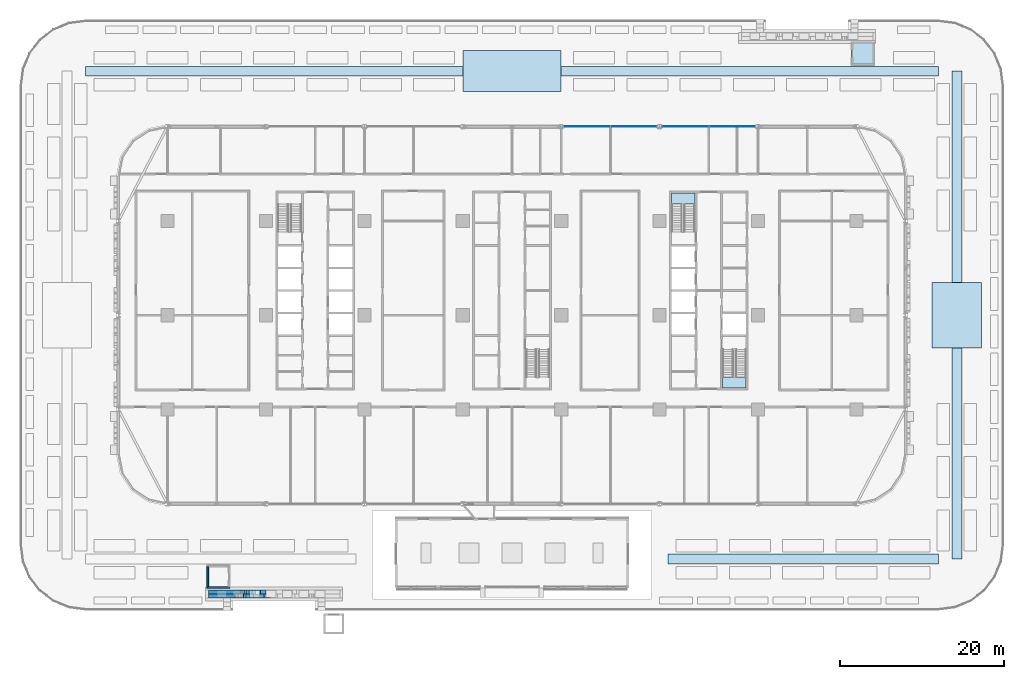
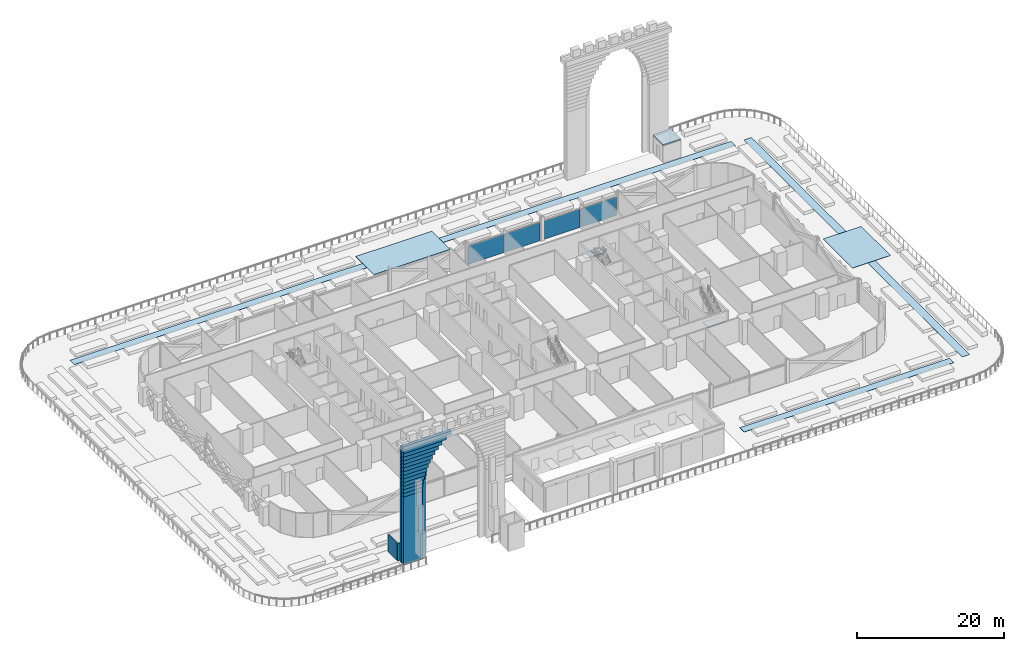
# One storey, part 10 of 39: 29 walls, 11 plates, 3 slabs, 4 elements without a shape of their own.
"""IFC4 building model written with IfcOpenShell, lengths in metres."""

from ifc_helpers import new_model, si_unit, direction, frame, frame_2d, origin, origin_2d, place, context, subcontext, project, spatial, polyline, rectangle, outline, extrude, material, layer, layer_set, type_object, element, aggregate, save


model = new_model("IFC4")

# Units and contexts
model_context = context("Model", 3, precision=1e-05, world=origin(), true_north=direction((0.0, 1.0)))
body_context = subcontext(model_context, "Body", "Model", "MODEL_VIEW")
ifc_project = project(units=[si_unit("LENGTHUNIT", "METRE"), si_unit("AREAUNIT", "SQUARE_METRE"), si_unit("VOLUMEUNIT", "CUBIC_METRE"), si_unit("PLANEANGLEUNIT", "RADIAN"), si_unit("MASSUNIT", "GRAM", prefix="KILO")], contexts=[model_context])

# Site, building, storey
site_placement = place(None, origin())
site = spatial("IfcSite", under=ifc_project, at=site_placement, CompositionType="ELEMENT")
building_placement = place(site_placement, origin())
building = spatial("IfcBuilding", under=site, at=building_placement, Name="Mahtab Terrace Research Tower", CompositionType="ELEMENT")
storey_placement = place(building_placement, frame((0.0, 0.0, 7.199951171875)))
storey = spatial("IfcBuildingStorey", under=building, at=storey_placement, Name="L01", CompositionType="ELEMENT", Elevation=7.199951171875)

# Slab
ifc_material_1 = material(Name="Concrete C40/50", Category="concrete")
ifc_layer_1 = layer(ifc_material_1, 0.199951171875)
ifc_layer_set_1 = layer_set([ifc_layer_1], Name="Deck kiosk roof slab 200")
slab_type_1 = type_object("IfcSlabType", Name="Deck kiosk roof slab 200", PredefinedType="ROOF", material=ifc_layer_set_1)
slab_1_placement = place(storey_placement, frame((0.0, 0.0, 2.900146484375)))
element("IfcSlab", 1, at=slab_1_placement, inside=storey, type_object=slab_type_1, Name="Deck kiosk roof PS2", PredefinedType="ROOF", context=body_context, shape_type="SweptSolid", body=[
    extrude(outline(polyline([(41.39990234375, 30.5), (44.199951171875, 30.5), (44.199951171875, 33.300048828125), (41.39990234375, 33.300048828125), (41.39990234375, 30.5)])), origin(), (0.0, 0.0, 1.0), 0.199951171875),
])

# Stair, slab
ifc_material_2 = material(Name="Exit stair half-turn")
stair_type = type_object("IfcStairType", Name="Exit stair half-turn", PredefinedType="HALF_TURN_STAIR", material=ifc_material_2)
stair_1_placement = place(storey_placement, origin())
stair_1 = element("IfcStair", 2, at=stair_1_placement, inside=storey, type_object=stair_type, Name="L01 Protected exit stair ST3", PredefinedType="HALF_TURN_STAIR")
ifc_layer_2 = layer(ifc_material_1, 0.199951171875)
ifc_layer_set_2 = layer_set([ifc_layer_2], Name="Exit stair landing 200")
slab_type_2 = type_object("IfcSlabType", Name="Exit stair landing 200", PredefinedType="LANDING", material=ifc_layer_set_2)
slab_2_placement = place(storey_placement, frame((0.0, 0.0, 1.949951171875)))
slab_2 = element("IfcSlab", 3, at=slab_2_placement, type_object=slab_type_2, Name="ST3 landing 1", PredefinedType="LANDING", context=body_context, shape_type="SweptSolid", body=[
    extrude(outline(polyline([(22.300048828125, 13.534912109375), (22.300048828125, 14.875), (19.449951171875, 14.875), (19.449951171875, 13.534912109375), (22.300048828125, 13.534912109375)])), origin(), (0.0, 0.0, 1.0), 0.2001953125),
])
aggregate(stair_1, [slab_2])

stair_2_placement = place(storey_placement, origin())
stair_2 = element("IfcStair", 4, at=stair_2_placement, inside=storey, type_object=stair_type, Name="L01 Protected exit stair ST4", PredefinedType="HALF_TURN_STAIR")
slab_3_placement = place(storey_placement, frame((0.0, 0.0, 1.949951171875)))
slab_3 = element("IfcSlab", 5, at=slab_3_placement, type_object=slab_type_2, Name="ST4 landing 1", PredefinedType="LANDING", context=body_context, shape_type="SweptSolid", body=[
    extrude(outline(polyline([(25.699951171875, -7.534912109375), (25.699951171875, -8.875), (28.550048828125, -8.875), (28.550048828125, -7.534912109375), (25.699951171875, -7.534912109375)])), origin(), (0.0, 0.0, 1.0), 0.2001953125),
])
aggregate(stair_2, [slab_3])

# Plates
ifc_material_3 = material(Name="Water feature lining")
ifc_layer_3 = layer(ifc_material_3, 0.050048828125)
ifc_layer_set_3 = layer_set([ifc_layer_3], Name="Garden pool lining")
plate_type_1 = type_object("IfcPlateType", Name="Garden pool lining", PredefinedType="USERDEFINED", material=ifc_layer_set_3)
plate_1_placement = place(storey_placement, origin())
element("IfcPlate", 6, at=plate_1_placement, inside=storey, type_object=plate_type_1, Name="POOL 1", ObjectType="POOL", PredefinedType="USERDEFINED", context=body_context, shape_type="SweptSolid", body=[
    extrude(outline(polyline([(6.0, 27.25), (6.0, 32.25), (-6.0, 32.25), (-6.0, 27.25), (6.0, 27.25)])), origin(), (0.0, 0.0, 1.0), 0.050048828125),
])
plate_2_placement = place(storey_placement, origin())
element("IfcPlate", 7, at=plate_2_placement, inside=storey, type_object=plate_type_1, Name="POOL 2", ObjectType="POOL", PredefinedType="USERDEFINED", context=body_context, shape_type="SweptSolid", body=[
    extrude(outline(polyline([(57.25, -4.0), (57.25, 4.0), (51.25, 4.0), (51.25, -4.0), (57.25, -4.0)])), origin(), (0.0, 0.0, 1.0), 0.050048828125),
])

# Curtain wall, plates
ifc_material_4 = material(Name="Sky lounge full-height curtain wall")
curtain_wall_type = type_object("IfcCurtainWallType", Name="Sky lounge full-height curtain wall", PredefinedType="NOTDEFINED", material=ifc_material_4)
curtain_wall_1_placement = place(storey_placement, origin())
curtain_wall_1 = element("IfcCurtainWall", 8, at=curtain_wall_1_placement, inside=storey, type_object=curtain_wall_type, Name="EN.L01.3.4", PredefinedType="NOTDEFINED")
ifc_material_5 = material(Name="Dark glazing", Category="glass")
ifc_layer_4 = layer(ifc_material_5, 0.0400390625)
ifc_layer_set_4 = layer_set([ifc_layer_4], Name="Sky lounge full-height curtain wall glazing panel")
plate_type_2 = type_object("IfcPlateType", Name="Sky lounge full-height curtain wall glazing panel", PredefinedType="CURTAIN_PANEL", material=ifc_layer_set_4)
plate_3_placement = place(storey_placement, frame((26.85791015625, 23.0, 0.0), z_axis=(0.0, 0.0, 1.0), x_axis=(-1.0, 0.0, 0.0)))
plate_3 = element("IfcPlate", 9, at=plate_3_placement, type_object=plate_type_2, Name="CWS-1 panel 1", PredefinedType="CURTAIN_PANEL", context=body_context, shape_type="SweptSolid", body=[
    extrude(rectangle(XDim=5.64599609375, YDim=0.0400390625, at=origin_2d()), origin(), (0.0, 0.0, 1.0), 3.0830078125),
])
plate_4_placement = place(storey_placement, frame((21.14208984375, 23.0, 0.0), z_axis=(0.0, 0.0, 1.0), x_axis=(-1.0, 0.0, 0.0)))
plate_4 = element("IfcPlate", 10, at=plate_4_placement, type_object=plate_type_2, Name="CWS-1 panel 2", PredefinedType="CURTAIN_PANEL", context=body_context, shape_type="SweptSolid", body=[
    extrude(rectangle(XDim=5.64599609375, YDim=0.0400390625, at=origin_2d()), origin(), (0.0, 0.0, 1.0), 3.0830078125),
])
aggregate(curtain_wall_1, [plate_3, plate_4])

curtain_wall_2_placement = place(storey_placement, origin())
curtain_wall_2 = element("IfcCurtainWall", 11, at=curtain_wall_2_placement, inside=storey, type_object=curtain_wall_type, Name="EN.L01.3.5", PredefinedType="NOTDEFINED")
plate_5_placement = place(storey_placement, frame((14.85791015625, 23.0, 0.0), z_axis=(0.0, 0.0, 1.0), x_axis=(-1.0, 0.0, 0.0)))
plate_5 = element("IfcPlate", 12, at=plate_5_placement, type_object=plate_type_2, Name="CWS-1 panel 1", PredefinedType="CURTAIN_PANEL", context=body_context, shape_type="SweptSolid", body=[
    extrude(rectangle(XDim=5.64599609375, YDim=0.0400390625, at=origin_2d()), origin(), (0.0, 0.0, 1.0), 3.0830078125),
])
plate_6_placement = place(storey_placement, frame((9.14208984375, 23.0, 0.0), z_axis=(0.0, 0.0, 1.0), x_axis=(-1.0, 0.0, 0.0)))
plate_6 = element("IfcPlate", 13, at=plate_6_placement, type_object=plate_type_2, Name="CWS-1 panel 2", PredefinedType="CURTAIN_PANEL", context=body_context, shape_type="SweptSolid", body=[
    extrude(rectangle(XDim=5.64599609375, YDim=0.0400390625, at=origin_2d()), origin(), (0.0, 0.0, 1.0), 3.0830078125),
])
aggregate(curtain_wall_2, [plate_5, plate_6])

# Plates
ifc_layer_5 = layer(ifc_material_3, 0.050048828125)
ifc_layer_set_5 = layer_set([ifc_layer_5], Name="Water channel lining 1200")
plate_type_3 = type_object("IfcPlateType", Name="Water channel lining 1200", PredefinedType="USERDEFINED", material=ifc_layer_set_5)
plate_7_placement = place(storey_placement, origin())
element("IfcPlate", 14, at=plate_7_placement, inside=storey, type_object=plate_type_3, Name="WATER CHANNEL 1", ObjectType="WATER CHANNEL", PredefinedType="USERDEFINED", context=body_context, shape_type="SweptSolid", body=[
    extrude(outline(polyline([(52.0, 30.35009765625), (52.0, 29.14990234375), (6.0, 29.14990234375), (6.0, 30.35009765625), (52.0, 30.35009765625)])), origin(), (0.0, 0.0, 1.0), 0.050048828125),
])
plate_8_placement = place(storey_placement, origin())
element("IfcPlate", 15, at=plate_8_placement, inside=storey, type_object=plate_type_3, Name="WATER CHANNEL 2", ObjectType="WATER CHANNEL", PredefinedType="USERDEFINED", context=body_context, shape_type="SweptSolid", body=[
    extrude(outline(polyline([(-52.0, 29.14990234375), (-52.0, 30.35009765625), (-6.0, 30.35009765625), (-6.0, 29.14990234375), (-52.0, 29.14990234375)])), origin(), (0.0, 0.0, 1.0), 0.050048828125),
])
plate_9_placement = place(storey_placement, origin())
element("IfcPlate", 16, at=plate_9_placement, inside=storey, type_object=plate_type_3, Name="WATER CHANNEL 4", ObjectType="WATER CHANNEL", PredefinedType="USERDEFINED", context=body_context, shape_type="SweptSolid", body=[
    extrude(outline(polyline([(19.0, -30.35009765625), (19.0, -29.14990234375), (52.0, -29.14990234375), (52.0, -30.35009765625), (19.0, -30.35009765625)])), origin(), (0.0, 0.0, 1.0), 0.050048828125),
])
plate_10_placement = place(storey_placement, origin())
element("IfcPlate", 17, at=plate_10_placement, inside=storey, type_object=plate_type_3, Name="WATER CHANNEL 5", ObjectType="WATER CHANNEL", PredefinedType="USERDEFINED", context=body_context, shape_type="SweptSolid", body=[
    extrude(outline(polyline([(54.85009765625, -29.75), (53.64990234375, -29.75), (53.64990234375, -4.0), (54.85009765625, -4.0), (54.85009765625, -29.75)])), origin(), (0.0, 0.0, 1.0), 0.050048828125),
])
plate_11_placement = place(storey_placement, origin())
element("IfcPlate", 18, at=plate_11_placement, inside=storey, type_object=plate_type_3, Name="WATER CHANNEL 6", ObjectType="WATER CHANNEL", PredefinedType="USERDEFINED", context=body_context, shape_type="SweptSolid", body=[
    extrude(outline(polyline([(53.64990234375, 29.75), (54.85009765625, 29.75), (54.85009765625, 4.0), (53.64990234375, 4.0), (53.64990234375, 29.75)])), origin(), (0.0, 0.0, 1.0), 0.050048828125),
])

# Walls
ifc_layer_6 = layer(ifc_material_1, 0.199951171875)
ifc_layer_set_6 = layer_set([ifc_layer_6], Name="Deck kiosk wall 200")
wall_type_1 = type_object("IfcWallType", Name="Deck kiosk wall 200", PredefinedType="SOLIDWALL", material=ifc_layer_set_6)
wall_1_placement = place(storey_placement, frame((-37.199951171875, -33.199951171875, 0.0), z_axis=(0.0, 0.0, 1.0), x_axis=(1.0, 0.0, 0.0)))
element("IfcWall", 19, at=wall_1_placement, inside=storey, type_object=wall_type_1, Name="Deck kiosk wall PS1", PredefinedType="SOLIDWALL", context=body_context, shape_type="SweptSolid", body=[
    extrude(rectangle(XDim=2.800048828125, YDim=0.199951171875, at=frame_2d((1.39990234375, 0.0))), origin(), (0.0, 0.0, 1.0), 2.900146484375),
])
wall_2_placement = place(storey_placement, frame((-37.10009765625, -33.10009765625, 0.0), z_axis=(0.0, 0.0, 1.0), x_axis=(0.0, 1.0, 0.0)))
element("IfcWall", 20, at=wall_2_placement, inside=storey, type_object=wall_type_1, Name="Deck kiosk wall PS1", PredefinedType="SOLIDWALL", context=body_context, shape_type="SweptSolid", body=[
    extrude(rectangle(XDim=2.400146484375, YDim=0.199951171875, at=frame_2d((1.2001953125, 0.0))), origin(), (0.0, 0.0, 1.0), 2.900146484375),
])
ifc_material_6 = material(Name="Precast concrete C40/50", Category="concrete")
ifc_layer_7 = layer(ifc_material_6, 1.0)
ifc_layer_set_7 = layer_set([ifc_layer_7], Name="Iwan portal wall 1200")
wall_type_2 = type_object("IfcWallType", Name="Iwan portal wall 1200", PredefinedType="NOTDEFINED", material=ifc_layer_set_7)
wall_3_placement = place(storey_placement, origin())
element("IfcWall", 21, at=wall_3_placement, inside=storey, type_object=wall_type_2, Name="Iwan portal", PredefinedType="NOTDEFINED", context=body_context, shape_type="SweptSolid", body=[
    extrude(outline(polyline([(-37.0, -34.5), (-34.0, -34.5), (-34.0, -34.0), (-37.0, -34.0), (-37.0, -34.5)])), origin(), (0.0, 0.0, 1.0), 11.33984375),
])
wall_4_placement = place(storey_placement, frame((0.0, 0.0, 11.33984375)))
element("IfcWall", 22, at=wall_4_placement, inside=storey, type_object=wall_type_2, Name="Iwan portal", PredefinedType="NOTDEFINED", context=body_context, shape_type="SweptSolid", body=[
    extrude(outline(polyline([(-37.0, -34.5), (-33.98193359375, -34.5), (-33.98193359375, -34.0), (-37.0, -34.0), (-37.0, -34.5)])), origin(), (0.0, 0.0, 1.0), 0.599853515625),
])
wall_5_placement = place(storey_placement, frame((0.0, 0.0, 11.939697265625)))
element("IfcWall", 23, at=wall_5_placement, inside=storey, type_object=wall_type_2, Name="Iwan portal", PredefinedType="NOTDEFINED", context=body_context, shape_type="SweptSolid", body=[
    extrude(outline(polyline([(-37.0, -34.5), (-33.927978515625, -34.5), (-33.927978515625, -34.0), (-37.0, -34.0), (-37.0, -34.5)])), origin(), (0.0, 0.0, 1.0), 0.60009765625),
])
wall_6_placement = place(storey_placement, frame((0.0, 0.0, 12.539794921875)))
element("IfcWall", 24, at=wall_6_placement, inside=storey, type_object=wall_type_2, Name="Iwan portal", PredefinedType="NOTDEFINED", context=body_context, shape_type="SweptSolid", body=[
    extrude(outline(polyline([(-37.0, -34.5), (-33.8369140625, -34.5), (-33.8369140625, -34.0), (-37.0, -34.0), (-37.0, -34.5)])), origin(), (0.0, 0.0, 1.0), 0.599853515625),
])
wall_7_placement = place(storey_placement, frame((0.0, 0.0, 13.1396484375)))
element("IfcWall", 25, at=wall_7_placement, inside=storey, type_object=wall_type_2, Name="Iwan portal", PredefinedType="NOTDEFINED", context=body_context, shape_type="SweptSolid", body=[
    extrude(outline(polyline([(-37.0, -34.5), (-33.7080078125, -34.5), (-33.7080078125, -34.0), (-37.0, -34.0), (-37.0, -34.5)])), origin(), (0.0, 0.0, 1.0), 0.60009765625),
])
wall_8_placement = place(storey_placement, frame((0.0, 0.0, 13.73974609375)))
element("IfcWall", 26, at=wall_8_placement, inside=storey, type_object=wall_type_2, Name="Iwan portal", PredefinedType="NOTDEFINED", context=body_context, shape_type="SweptSolid", body=[
    extrude(outline(polyline([(-37.0, -34.5), (-33.5390625, -34.5), (-33.5390625, -34.0), (-37.0, -34.0), (-37.0, -34.5)])), origin(), (0.0, 0.0, 1.0), 0.60009765625),
])
wall_9_placement = place(storey_placement, frame((0.0, 0.0, 14.33984375)))
element("IfcWall", 27, at=wall_9_placement, inside=storey, type_object=wall_type_2, Name="Iwan portal", PredefinedType="NOTDEFINED", context=body_context, shape_type="SweptSolid", body=[
    extrude(outline(polyline([(-37.0, -34.5), (-33.330078125, -34.5), (-33.330078125, -34.0), (-37.0, -34.0), (-37.0, -34.5)])), origin(), (0.0, 0.0, 1.0), 0.599853515625),
])
wall_10_placement = place(storey_placement, frame((0.0, 0.0, 14.939697265625)))
element("IfcWall", 28, at=wall_10_placement, inside=storey, type_object=wall_type_2, Name="Iwan portal", PredefinedType="NOTDEFINED", context=body_context, shape_type="SweptSolid", body=[
    extrude(outline(polyline([(-37.0, -34.5), (-33.074951171875, -34.5), (-33.074951171875, -34.0), (-37.0, -34.0), (-37.0, -34.5)])), origin(), (0.0, 0.0, 1.0), 0.60009765625),
])
wall_11_placement = place(storey_placement, frame((0.0, 0.0, 15.539794921875)))
element("IfcWall", 29, at=wall_11_placement, inside=storey, type_object=wall_type_2, Name="Iwan portal", PredefinedType="NOTDEFINED", context=body_context, shape_type="SweptSolid", body=[
    extrude(outline(polyline([(-37.0, -34.5), (-32.77294921875, -34.5), (-32.77294921875, -34.0), (-37.0, -34.0), (-37.0, -34.5)])), origin(), (0.0, 0.0, 1.0), 0.599853515625),
])
wall_12_placement = place(storey_placement, frame((0.0, 0.0, 16.1396484375)))
element("IfcWall", 30, at=wall_12_placement, inside=storey, type_object=wall_type_2, Name="Iwan portal", PredefinedType="NOTDEFINED", context=body_context, shape_type="SweptSolid", body=[
    extrude(outline(polyline([(-37.0, -34.5), (-32.4169921875, -34.5), (-32.4169921875, -34.0), (-37.0, -34.0), (-37.0, -34.5)])), origin(), (0.0, 0.0, 1.0), 0.60009765625),
])
wall_13_placement = place(storey_placement, frame((0.0, 0.0, 16.73974609375)))
element("IfcWall", 31, at=wall_13_placement, inside=storey, type_object=wall_type_2, Name="Iwan portal", PredefinedType="NOTDEFINED", context=body_context, shape_type="SweptSolid", body=[
    extrude(outline(polyline([(-37.0, -34.5), (-32.0, -34.5), (-32.0, -34.0), (-37.0, -34.0), (-37.0, -34.5)])), origin(), (0.0, 0.0, 1.0), 0.60009765625),
])
wall_14_placement = place(storey_placement, frame((0.0, 0.0, 17.33984375)))
element("IfcWall", 32, at=wall_14_placement, inside=storey, type_object=wall_type_2, Name="Iwan portal", PredefinedType="NOTDEFINED", context=body_context, shape_type="SweptSolid", body=[
    extrude(outline(polyline([(-37.0, -34.5), (-31.512939453125, -34.5), (-31.512939453125, -34.0), (-37.0, -34.0), (-37.0, -34.5)])), origin(), (0.0, 0.0, 1.0), 0.599853515625),
])
wall_15_placement = place(storey_placement, frame((0.0, 0.0, 17.939697265625)))
element("IfcWall", 33, at=wall_15_placement, inside=storey, type_object=wall_type_2, Name="Iwan portal", PredefinedType="NOTDEFINED", context=body_context, shape_type="SweptSolid", body=[
    extrude(outline(polyline([(-37.0, -34.5), (-30.93994140625, -34.5), (-30.93994140625, -34.0), (-37.0, -34.0), (-37.0, -34.5)])), origin(), (0.0, 0.0, 1.0), 0.60009765625),
])
wall_16_placement = place(storey_placement, frame((0.0, 0.0, 18.539794921875)))
element("IfcWall", 34, at=wall_16_placement, inside=storey, type_object=wall_type_2, Name="Iwan portal", PredefinedType="NOTDEFINED", context=body_context, shape_type="SweptSolid", body=[
    extrude(outline(polyline([(-37.0, -34.5), (-30.258056640625, -34.5), (-30.258056640625, -34.0), (-37.0, -34.0), (-37.0, -34.5)])), origin(), (0.0, 0.0, 1.0), 0.599853515625),
])
wall_17_placement = place(storey_placement, frame((0.0, 0.0, 19.1396484375)))
element("IfcWall", 35, at=wall_17_placement, inside=storey, type_object=wall_type_2, Name="Iwan portal", PredefinedType="NOTDEFINED", context=body_context, shape_type="SweptSolid", body=[
    extrude(outline(polyline([(-37.0, -34.5), (-29.426025390625, -34.5), (-29.426025390625, -34.0), (-37.0, -34.0), (-37.0, -34.5)])), origin(), (0.0, 0.0, 1.0), 0.60009765625),
])
wall_18_placement = place(storey_placement, origin())
element("IfcWall", 36, at=wall_18_placement, inside=storey, type_object=wall_type_2, Name="Iwan portal", PredefinedType="NOTDEFINED", context=body_context, shape_type="SweptSolid", body=[
    extrude(outline(polyline([(-37.0, -34.0), (-33.199951171875, -34.0), (-33.199951171875, -33.5), (-37.0, -33.5), (-37.0, -34.0)])), origin(), (0.0, 0.0, 1.0), 12.725341796875),
])
wall_19_placement = place(storey_placement, frame((0.0, 0.0, 12.725341796875)))
element("IfcWall", 37, at=wall_19_placement, inside=storey, type_object=wall_type_2, Name="Iwan portal", PredefinedType="NOTDEFINED", context=body_context, shape_type="SweptSolid", body=[
    extrude(outline(polyline([(-37.0, -34.0), (-33.178955078125, -34.0), (-33.178955078125, -33.5), (-37.0, -33.5), (-37.0, -34.0)])), origin(), (0.0, 0.0, 1.0), 0.60009765625),
])
wall_20_placement = place(storey_placement, frame((0.0, 0.0, 13.325439453125)))
element("IfcWall", 38, at=wall_20_placement, inside=storey, type_object=wall_type_2, Name="Iwan portal", PredefinedType="NOTDEFINED", context=body_context, shape_type="SweptSolid", body=[
    extrude(outline(polyline([(-37.0, -34.0), (-33.114013671875, -34.0), (-33.114013671875, -33.5), (-37.0, -33.5), (-37.0, -34.0)])), origin(), (0.0, 0.0, 1.0), 0.60009765625),
])
wall_21_placement = place(storey_placement, frame((0.0, 0.0, 13.925537109375)))
element("IfcWall", 39, at=wall_21_placement, inside=storey, type_object=wall_type_2, Name="Iwan portal", PredefinedType="NOTDEFINED", context=body_context, shape_type="SweptSolid", body=[
    extrude(outline(polyline([(-37.0, -34.0), (-33.0048828125, -34.0), (-33.0048828125, -33.5), (-37.0, -33.5), (-37.0, -34.0)])), origin(), (0.0, 0.0, 1.0), 0.599853515625),
])
wall_22_placement = place(storey_placement, frame((0.0, 0.0, 14.525390625)))
element("IfcWall", 40, at=wall_22_placement, inside=storey, type_object=wall_type_2, Name="Iwan portal", PredefinedType="NOTDEFINED", context=body_context, shape_type="SweptSolid", body=[
    extrude(outline(polyline([(-37.0, -34.0), (-32.85009765625, -34.0), (-32.85009765625, -33.5), (-37.0, -33.5), (-37.0, -34.0)])), origin(), (0.0, 0.0, 1.0), 0.60009765625),
])
wall_23_placement = place(storey_placement, frame((0.0, 0.0, 15.12548828125)))
element("IfcWall", 41, at=wall_23_placement, inside=storey, type_object=wall_type_2, Name="Iwan portal", PredefinedType="NOTDEFINED", context=body_context, shape_type="SweptSolid", body=[
    extrude(outline(polyline([(-37.0, -34.0), (-32.64599609375, -34.0), (-32.64599609375, -33.5), (-37.0, -33.5), (-37.0, -34.0)])), origin(), (0.0, 0.0, 1.0), 0.599853515625),
])
wall_24_placement = place(storey_placement, frame((0.0, 0.0, 15.725341796875)))
element("IfcWall", 42, at=wall_24_placement, inside=storey, type_object=wall_type_2, Name="Iwan portal", PredefinedType="NOTDEFINED", context=body_context, shape_type="SweptSolid", body=[
    extrude(outline(polyline([(-37.0, -34.0), (-32.388916015625, -34.0), (-32.388916015625, -33.5), (-37.0, -33.5), (-37.0, -34.0)])), origin(), (0.0, 0.0, 1.0), 0.60009765625),
])
wall_25_placement = place(storey_placement, frame((0.0, 0.0, 16.325439453125)))
element("IfcWall", 43, at=wall_25_placement, inside=storey, type_object=wall_type_2, Name="Iwan portal", PredefinedType="NOTDEFINED", context=body_context, shape_type="SweptSolid", body=[
    extrude(outline(polyline([(-37.0, -34.0), (-32.074951171875, -34.0), (-32.074951171875, -33.5), (-37.0, -33.5), (-37.0, -34.0)])), origin(), (0.0, 0.0, 1.0), 0.60009765625),
])
wall_26_placement = place(storey_placement, frame((0.0, 0.0, 16.925537109375)))
element("IfcWall", 44, at=wall_26_placement, inside=storey, type_object=wall_type_2, Name="Iwan portal", PredefinedType="NOTDEFINED", context=body_context, shape_type="SweptSolid", body=[
    extrude(outline(polyline([(-37.0, -34.0), (-31.693115234375, -34.0), (-31.693115234375, -33.5), (-37.0, -33.5), (-37.0, -34.0)])), origin(), (0.0, 0.0, 1.0), 0.599853515625),
])
wall_27_placement = place(storey_placement, frame((0.0, 0.0, 17.525390625)))
element("IfcWall", 45, at=wall_27_placement, inside=storey, type_object=wall_type_2, Name="Iwan portal", PredefinedType="NOTDEFINED", context=body_context, shape_type="SweptSolid", body=[
    extrude(outline(polyline([(-37.0, -34.0), (-31.23388671875, -34.0), (-31.23388671875, -33.5), (-37.0, -33.5), (-37.0, -34.0)])), origin(), (0.0, 0.0, 1.0), 0.60009765625),
])
wall_28_placement = place(storey_placement, frame((0.0, 0.0, 18.12548828125)))
element("IfcWall", 46, at=wall_28_placement, inside=storey, type_object=wall_type_2, Name="Iwan portal", PredefinedType="NOTDEFINED", context=body_context, shape_type="SweptSolid", body=[
    extrude(outline(polyline([(-37.0, -34.0), (-30.678955078125, -34.0), (-30.678955078125, -33.5), (-37.0, -33.5), (-37.0, -34.0)])), origin(), (0.0, 0.0, 1.0), 0.599853515625),
])
wall_29_placement = place(storey_placement, frame((0.0, 0.0, 18.725341796875)))
element("IfcWall", 47, at=wall_29_placement, inside=storey, type_object=wall_type_2, Name="Iwan portal", PredefinedType="NOTDEFINED", context=body_context, shape_type="SweptSolid", body=[
    extrude(outline(polyline([(-37.0, -34.0), (-29.99609375, -34.0), (-29.99609375, -33.5), (-37.0, -33.5), (-37.0, -34.0)])), origin(), (0.0, 0.0, 1.0), 0.60009765625),
])

save(model, "model.ifc")
